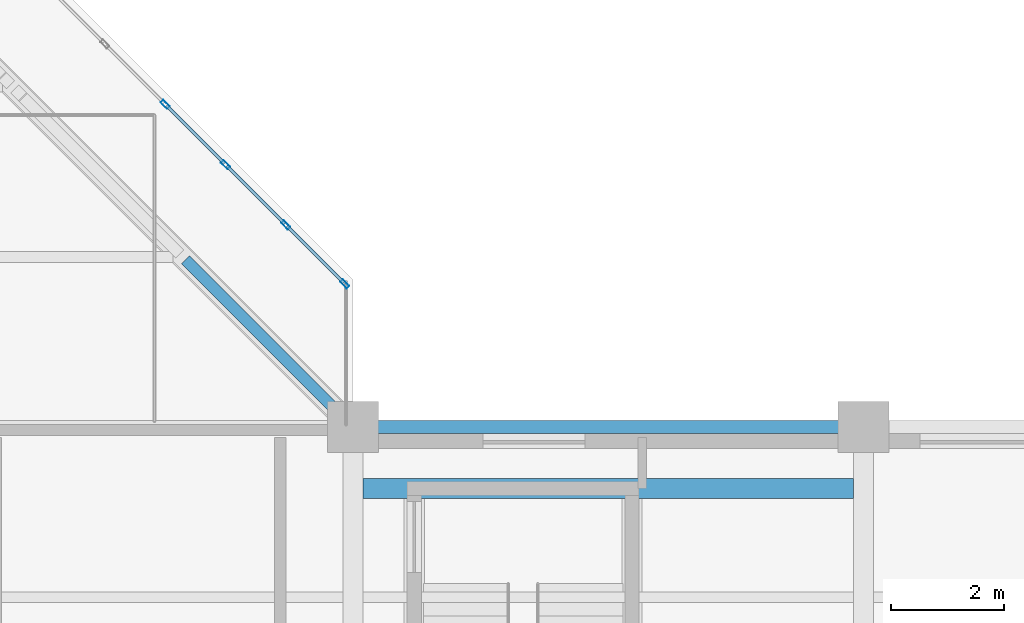
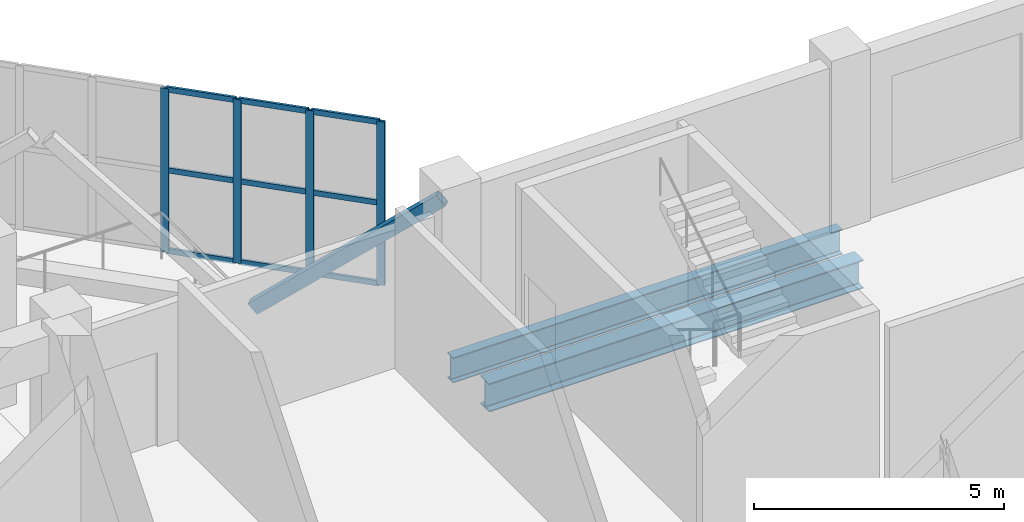
# One storey, part 2 of 9: 14 members, 2 beams, 1 element without a shape of its own.
"""IFC4 building model written with IfcOpenShell, lengths in metres."""

import ifcopenshell
import ifcopenshell.guid

model = None  # the IFC model being written
_history = None  # IfcOwnerHistory: only IFC2X3 demands one
_inside = {}  # id of a spatial element -> (the spatial element, [elements in it])
_under = {}  # id of a project, library or spatial element -> (it, [spatial elements below it])
_declared = {}  # id of a project -> (the project, [libraries it declares])
_typed = {}  # id of a type object -> (the type object, [elements of that type])
_made_of = {}  # id of a material, layer set ... -> (it, [elements and type objects made of it])


def new_model(schema):
    """Start an empty IFC model of exactly this schema.

    Asked for "IFC4X3", IfcOpenShell would pick the latest addendum, in which some entities
    have other attributes; the version numbers below select the first issue.
    IFC2X3 requires an IfcOwnerHistory on every rooted entity: one is made here for all.
    """
    global model, _history
    if schema == "IFC4X3":
        model = ifcopenshell.file(schema_version=(4, 3, 0, 0))
    else:
        model = ifcopenshell.file(schema=schema)
    _inside.clear()
    _under.clear()
    _declared.clear()
    _typed.clear()
    _made_of.clear()
    _history = None
    if model.schema == "IFC2X3":
        org = make("IfcOrganization", Name="unknown")
        user = make(
            "IfcPersonAndOrganization",
            ThePerson=make("IfcPerson", FamilyName="unknown"),
            TheOrganization=org,
        )
        app = make(
            "IfcApplication",
            ApplicationDeveloper=org,
            Version="unknown",
            ApplicationFullName="unknown",
            ApplicationIdentifier="unknown",
        )
        _history = make(
            "IfcOwnerHistory",
            OwningUser=user,
            OwningApplication=app,
            ChangeAction="ADDED",
            CreationDate=0,
        )
    return model


def make(cls, **values):
    """One entity of the class cls with the attributes given. An attribute that is None is left unset."""
    return model.create_entity(
        cls, **{name: value for name, value in values.items() if value is not None}
    )


def rooted(cls, **values):
    """An entity with a GlobalId (a new one), such as an element, a storey or a relation."""
    return make(cls, GlobalId=ifcopenshell.guid.new(), OwnerHistory=_history, **values)


def si_unit(unit_type, name, prefix=None):
    """IfcSIUnit, for example si_unit("LENGTHUNIT", "METRE", prefix="MILLI")."""
    return make("IfcSIUnit", UnitType=unit_type, Prefix=prefix, Name=name)


def assignment(units):
    """IfcUnitAssignment: the units of a project."""
    return None if units is None else make("IfcUnitAssignment", Units=units)


def point(xyz):
    """IfcCartesianPoint."""
    return None if xyz is None else make("IfcCartesianPoint", Coordinates=xyz)


def direction(xyz):
    """IfcDirection."""
    return None if xyz is None else make("IfcDirection", DirectionRatios=xyz)


def frame(location, z_axis=None, x_axis=None):
    """IfcAxis2Placement3D, a coordinate frame: its origin and axes. An axis left out is left unset."""
    return make(
        "IfcAxis2Placement3D",
        Location=point(location),
        Axis=direction(z_axis),
        RefDirection=direction(x_axis),
    )


def frame_2d(location, x_axis=None):
    """IfcAxis2Placement2D, a coordinate frame in the plane: its origin and x axis."""
    return make(
        "IfcAxis2Placement2D", Location=point(location), RefDirection=direction(x_axis)
    )


def origin():
    """The frame at (0, 0, 0) with its axes left unset."""
    return frame((0.0, 0.0, 0.0))


def origin_2d():
    """The frame at (0, 0) in the plane with its x axis left unset."""
    return frame_2d((0.0, 0.0))


def place(relative_to, where):
    """IfcLocalPlacement: puts the frame where relative to a parent placement (None: the world)."""
    return make(
        "IfcLocalPlacement", PlacementRelTo=relative_to, RelativePlacement=where
    )


def context(
    kind, dimensions, precision=None, world=None, true_north=None, identifier=None
):
    """IfcGeometricRepresentationContext, for example the 3D "Model" context."""
    return make(
        "IfcGeometricRepresentationContext",
        ContextIdentifier=identifier,
        ContextType=kind,
        CoordinateSpaceDimension=dimensions,
        Precision=precision,
        WorldCoordinateSystem=world,
        TrueNorth=true_north,
    )


def subcontext(parent, identifier, kind, view, scale=None):
    """IfcGeometricRepresentationSubContext, for example "Body" below "Model"."""
    return make(
        "IfcGeometricRepresentationSubContext",
        ContextIdentifier=identifier,
        ContextType=kind,
        ParentContext=parent,
        TargetScale=scale,
        TargetView=view,
    )


def project(units=None, contexts=None):
    """IfcProject with its units and contexts."""
    return rooted(
        "IfcProject",
        Name="project",
        RepresentationContexts=contexts,
        UnitsInContext=assignment(units),
    )


def spatial(cls, under=None, at=None, **own):
    """A site, building, storey or space (cls), placed at a placement, below another one or the project."""
    s = rooted(cls, ObjectPlacement=at, **own)
    if under is not None:
        _under.setdefault(under.id(), (under, []))[1].append(s)
    return s


def profile(cls, at=None, kind="AREA", **sizes):
    """A parametric profile (cls). Its sizes go by their IFC names, for example OverallWidth=200.0."""
    return make(cls, ProfileType=kind, Position=at, **sizes)


def hollow_rectangle(**sizes):
    """IfcRectangleHollowProfileDef."""
    return profile("IfcRectangleHollowProfileDef", **sizes)


def i_section(**sizes):
    """IfcIShapeProfileDef."""
    return profile("IfcIShapeProfileDef", **sizes)


def extrude(swept, where, along, depth):
    """IfcExtrudedAreaSolid: the profile swept, set in the frame where, extruded along a direction by depth."""
    return make(
        "IfcExtrudedAreaSolid",
        SweptArea=swept,
        Position=where,
        ExtrudedDirection=direction(along),
        Depth=depth,
    )


def shape(context_of_items, identifier, shape_type, items):
    """IfcShapeRepresentation: the items that make up one representation, for example the "Body"."""
    return make(
        "IfcShapeRepresentation",
        ContextOfItems=context_of_items,
        RepresentationIdentifier=identifier,
        RepresentationType=shape_type,
        Items=items,
    )


def material(Name=None, Category=None):
    """IfcMaterial."""
    return make("IfcMaterial", Name=Name, Category=Category)


def layer(
    of_material, thickness, ventilated=None, Name=None, Category=None, Priority=None
):
    """IfcMaterialLayer: one layer of a wall or slab, of a material (None: an air gap)."""
    return make(
        "IfcMaterialLayer",
        Material=of_material,
        LayerThickness=thickness,
        IsVentilated=ventilated,
        Name=Name,
        Category=Category,
        Priority=Priority,
    )


def layer_set(layers, Name=None):
    """IfcMaterialLayerSet."""
    return make("IfcMaterialLayerSet", MaterialLayers=layers, LayerSetName=Name)


def material_profile(
    of_material, cross_section, Name=None, Category=None, Priority=None
):
    """IfcMaterialProfile: a cross section and its material."""
    return make(
        "IfcMaterialProfile",
        Name=Name,
        Material=of_material,
        Profile=cross_section,
        Priority=Priority,
        Category=Category,
    )


def profile_set(profiles, Name=None, composite=None):
    """IfcMaterialProfileSet."""
    return make(
        "IfcMaterialProfileSet",
        Name=Name,
        MaterialProfiles=profiles,
        CompositeProfile=composite,
    )


def made_of(thing, what):
    """Note that an element or type object is made of a material, layer set ...; save() writes the relation."""
    if what is not None:
        _made_of.setdefault(what.id(), (what, []))[1].append(thing)
    return thing


def type_object(cls, material=None, **own):
    """A type object (cls), such as IfcWallType, which elements share."""
    return made_of(rooted(cls, **own), material)


def element(
    cls,
    number,
    at=None,
    inside=None,
    cuts=None,
    type_object=None,
    material=None,
    context=None,
    identifier="Body",
    shape_type=None,
    held_by="IfcProductDefinitionShape",
    body=None,
    shapes=None,
    **own,
):
    """One element of the class cls, such as IfcWall. Its Tag is "e" and its number.

    at: its placement. inside: the storey or other place that contains it. cuts: it is an
    opening in that element (IfcRelVoidsElement). A single representation is given by context,
    identifier, shape_type and body (its items); several are given by shapes. held_by: the class
    of the entity that holds the representations. save() writes the other relations.
    """
    e = rooted(cls, Tag="e%d" % number, ObjectPlacement=at, **own)
    if body is not None:
        shapes = [shape(context, identifier, shape_type, body)]
    if shapes is not None:
        e.Representation = make(held_by, Representations=shapes)
    if inside is not None:
        _inside.setdefault(inside.id(), (inside, []))[1].append(e)
    if cuts is not None:
        rooted(
            "IfcRelVoidsElement", RelatingBuildingElement=cuts, RelatedOpeningElement=e
        )
    if type_object is not None:
        _typed.setdefault(type_object.id(), (type_object, []))[1].append(e)
    return made_of(e, material)


def aggregate(whole, parts):
    """IfcRelAggregates: a whole, such as a stair, and the parts it consists of."""
    return rooted("IfcRelAggregates", RelatingObject=whole, RelatedObjects=parts)


def save(model, path):
    """Write the relations noted so far, then the file.

    IfcRelAggregates (storeys below a building ...), IfcRelContainedInSpatialStructure (elements
    in a storey), IfcRelDefinesByType, IfcRelAssociatesMaterial and IfcRelDeclares: one each for
    every whole, place, type object, material and project.
    """
    for whole, parts in _under.values():
        aggregate(whole, parts)
    for where, things in _inside.values():
        rooted(
            "IfcRelContainedInSpatialStructure",
            RelatedElements=things,
            RelatingStructure=where,
        )
    for kind, things in _typed.values():
        rooted("IfcRelDefinesByType", RelatedObjects=things, RelatingType=kind)
    for what, things in _made_of.values():
        rooted("IfcRelAssociatesMaterial", RelatedObjects=things, RelatingMaterial=what)
    for by, libraries in _declared.values():
        rooted("IfcRelDeclares", RelatingContext=by, RelatedDefinitions=libraries)
    model.write(path)


model = new_model("IFC4")

# Units and contexts
model_context = context("Model", 3, precision=1e-05, world=origin(), true_north=direction((0.0, 1.0)))
body_context = subcontext(model_context, "Body", "Model", "MODEL_VIEW")
ifc_project = project(units=[si_unit("LENGTHUNIT", "METRE"), si_unit("AREAUNIT", "SQUARE_METRE"), si_unit("VOLUMEUNIT", "CUBIC_METRE"), si_unit("PLANEANGLEUNIT", "RADIAN"), si_unit("MASSUNIT", "GRAM", prefix="KILO")], contexts=[model_context])

# Site, building, storey
site_placement = place(None, origin())
site = spatial("IfcSite", under=ifc_project, at=site_placement, CompositionType="ELEMENT")
building_placement = place(site_placement, origin())
building = spatial("IfcBuilding", under=site, at=building_placement, Name="Mawjdan Bourse Tower", CompositionType="ELEMENT")
storey_placement = place(building_placement, frame((0.0, 0.0, 160.199951171875)))
storey = spatial("IfcBuildingStorey", under=building, at=storey_placement, Name="L38", CompositionType="ELEMENT", Elevation=160.199951171875)

# Member
ifc_material_1 = material(Name="Structural Steel S460", Category="steel")
ifc_material_profile_1 = material_profile(ifc_material_1, hollow_rectangle(XDim=0.199951171875, YDim=0.300048828125, WallThickness=0.012451171875, at=origin_2d()), Name="HSS300X200X12.5")
ifc_profile_set_1 = profile_set([ifc_material_profile_1], Name="Structural Steel S460")
member_type_1 = type_object("IfcMemberType", Name="BRC-HSS300X200X12.5", PredefinedType="BRACE", material=ifc_profile_set_1)
member_1_placement = place(storey_placement, frame((30.1201171875, 23.8798828125, 0.199951171875), z_axis=(0.536552253275, -0.536552253275, 0.651324311699), x_axis=(0.707106781187, 0.707106781187, 0.0)))
element("IfcMember", 1, at=member_1_placement, inside=storey, type_object=member_type_1, Name="L38 Atrium Sky Bridge Truss Diagonal 3", PredefinedType="BRACE", context=body_context, shape_type="SweptSolid", body=[
    extrude(hollow_rectangle(XDim=0.199951171875, YDim=0.300048828125, WallThickness=0.012451171875, at=origin_2d()), origin(), (0.0, 0.0, 1.0), 5.1435546875),
])

# Beam
ifc_material_2 = material(Name="Structural Steel S355", Category="steel")
ifc_material_profile_2 = material_profile(ifc_material_2, i_section(OverallWidth=0.35498046875, OverallDepth=0.696044921875, WebThickness=0.015380859375, FlangeThickness=0.02490234375, FilletRadius=0.019775390625, at=origin_2d()), Name="W27X146")
ifc_profile_set_2 = profile_set([ifc_material_profile_2], Name="Structural Steel S355")
beam_type_1 = type_object("IfcBeamType", Name="GRD-W27X146", PredefinedType="BEAM", material=ifc_profile_set_2)
beam_1_placement = place(storey_placement, frame((33.175537109375, 19.919921875, -0.597900390625), z_axis=(1.0, 0.0, 0.0), x_axis=(0.0, 1.0, 0.0)))
element("IfcBeam", 2, at=beam_1_placement, inside=storey, type_object=beam_type_1, Name="L38 Feature Stair North Trimmer 043", PredefinedType="BEAM", context=body_context, shape_type="SweptSolid", body=[
    extrude(i_section(OverallWidth=0.35498046875, OverallDepth=0.696044921875, WebThickness=0.015380859375, FlangeThickness=0.02490234375, FilletRadius=0.019775390625, at=origin_2d()), origin(), (0.0, 0.0, 1.0), 8.64892578125),
])

# Curtain wall, members
ifc_material_3 = material(Name="Thermally Broken Aluminium and Solar Glass", Category="aluminium")
ifc_layer = layer(ifc_material_3, 0.219970703125)
ifc_layer_set = layer_set([ifc_layer], Name="Thermally Broken Aluminium and Solar Glass")
curtain_wall_type = type_object("IfcCurtainWallType", Name="CW-BRG", PredefinedType="USERDEFINED", material=ifc_layer_set)
curtain_wall_placement = place(storey_placement, origin())
curtain_wall = element("IfcCurtainWall", 3, at=curtain_wall_placement, inside=storey, type_object=curtain_wall_type, Name="L38 Atrium Sky Bridge Diagonal Curtain Wall", ObjectType="SKY BRIDGE CURTAIN WALL", PredefinedType="USERDEFINED")
ifc_material_4 = material(Name="Thermally Broken Anodised Aluminium", Category="aluminium")
ifc_material_profile_3 = material_profile(ifc_material_4, hollow_rectangle(XDim=0.06494140625, YDim=0.1650390625, WallThickness=0.00390625, at=origin_2d()), Name="ALU-MUL-165X65")
ifc_profile_set_3 = profile_set([ifc_material_profile_3], Name="Thermally Broken Anodised Aluminium")
member_type_2 = type_object("IfcMemberType", Name="MUL-ALU-MUL-165X65", PredefinedType="MULLION", material=ifc_profile_set_3)
member_2_placement = place(storey_placement, frame((32.85693359375, 23.52294921875, 0.0), z_axis=(0.0, 0.0, 1.0), x_axis=(-0.707106781187, -0.707106781187, 0.0)))
member_2 = element("IfcMember", 4, at=member_2_placement, type_object=member_type_2, Name="CW-BRG-L38-BRG-DIAG mullion 1", PredefinedType="MULLION", context=body_context, shape_type="SweptSolid", body=[
    extrude(hollow_rectangle(XDim=0.06494140625, YDim=0.1650390625, WallThickness=0.00390625, at=origin_2d()), origin(), (0.0, 0.0, 1.0), 4.0),
])
member_3_placement = place(storey_placement, frame((31.816650390625, 24.563232421875, 0.0), z_axis=(0.0, 0.0, 1.0), x_axis=(-0.707106781187, -0.707106781187, 0.0)))
member_3 = element("IfcMember", 5, at=member_3_placement, type_object=member_type_2, Name="CW-BRG-L38-BRG-DIAG mullion 2", PredefinedType="MULLION", context=body_context, shape_type="SweptSolid", body=[
    extrude(hollow_rectangle(XDim=0.06494140625, YDim=0.1650390625, WallThickness=0.00390625, at=origin_2d()), origin(), (0.0, 0.0, 1.0), 4.0),
])
member_4_placement = place(storey_placement, frame((30.75341796875, 25.626708984375, 0.0), z_axis=(0.0, 0.0, 1.0), x_axis=(-0.707106781187, -0.707106781187, 0.0)))
member_4 = element("IfcMember", 6, at=member_4_placement, type_object=member_type_2, Name="CW-BRG-L38-BRG-DIAG mullion 3", PredefinedType="MULLION", context=body_context, shape_type="SweptSolid", body=[
    extrude(hollow_rectangle(XDim=0.06494140625, YDim=0.1650390625, WallThickness=0.00390625, at=origin_2d()), origin(), (0.0, 0.0, 1.0), 4.0),
])
member_5_placement = place(storey_placement, frame((29.68994140625, 26.68994140625, 0.0), z_axis=(0.0, 0.0, 1.0), x_axis=(-0.707106781187, -0.707106781187, 0.0)))
member_5 = element("IfcMember", 7, at=member_5_placement, type_object=member_type_2, Name="CW-BRG-L38-BRG-DIAG mullion 4", PredefinedType="MULLION", context=body_context, shape_type="SweptSolid", body=[
    extrude(hollow_rectangle(XDim=0.06494140625, YDim=0.1650390625, WallThickness=0.00390625, at=origin_2d()), origin(), (0.0, 0.0, 1.0), 4.0),
])

# Beam
ifc_material_profile_4 = material_profile(ifc_material_2, i_section(OverallWidth=0.22998046875, OverallDepth=0.616943359375, WebThickness=0.01318359375, FlangeThickness=0.022216796875, FilletRadius=0.017822265625, at=origin_2d()), Name="W24X94")
ifc_profile_set_4 = profile_set([ifc_material_profile_4], Name="Structural Steel S355")
beam_type_2 = type_object("IfcBeamType", Name="SPN-W24X94", PredefinedType="SPANDREL", material=ifc_profile_set_4)
beam_2_placement = place(storey_placement, frame((33.0, 21.0, -0.558349609375), z_axis=(1.0, 0.0, 0.0), x_axis=(0.0, 1.0, 0.0)))
element("IfcBeam", 8, at=beam_2_placement, inside=storey, type_object=beam_type_2, Name="L38 Sky Bridge Interface Spandrel 013", PredefinedType="SPANDREL", context=body_context, shape_type="SweptSolid", body=[
    extrude(i_section(OverallWidth=0.22998046875, OverallDepth=0.616943359375, WebThickness=0.01318359375, FlangeThickness=0.022216796875, FilletRadius=0.017822265625, at=origin_2d()), origin(), (0.0, 0.0, 1.0), 9.0),
])

# Member
ifc_material_profile_5 = material_profile(ifc_material_4, hollow_rectangle(XDim=0.054931640625, YDim=0.1298828125, WallThickness=0.00341796875, at=origin_2d()), Name="ALU-TRN-130X55")
ifc_profile_set_5 = profile_set([ifc_material_profile_5], Name="Thermally Broken Anodised Aluminium")
member_type_3 = type_object("IfcMemberType", Name="TRN-ALU-TRN-130X55", PredefinedType="USERDEFINED", material=ifc_profile_set_5)
member_6_placement = place(storey_placement, frame((32.833984375, 23.5458984375, 0.027587890625), z_axis=(-0.707106781187, 0.707106781187, 0.0), x_axis=(-0.707106781187, -0.707106781187, 0.0)))
member_6 = element("IfcMember", 9, at=member_6_placement, type_object=member_type_3, Name="CW-BRG-L38-BRG-DIAG transom 1.1", ObjectType="TRANSOM", PredefinedType="USERDEFINED", context=body_context, shape_type="SweptSolid", body=[
    extrude(hollow_rectangle(XDim=0.054931640625, YDim=0.1298828125, WallThickness=0.00341796875, at=origin_2d()), origin(), (0.0, 0.0, 1.0), 1.40625),
])

member_7_placement = place(storey_placement, frame((32.833984375, 23.5458984375, 2.0), z_axis=(-0.707106781187, 0.707106781187, 0.0), x_axis=(-0.707106781187, -0.707106781187, 0.0)))
member_7 = element("IfcMember", 10, at=member_7_placement, type_object=member_type_3, Name="CW-BRG-L38-BRG-DIAG transom 1.2", ObjectType="TRANSOM", PredefinedType="USERDEFINED", context=body_context, shape_type="SweptSolid", body=[
    extrude(hollow_rectangle(XDim=0.054931640625, YDim=0.1298828125, WallThickness=0.00341796875, at=origin_2d()), origin(), (0.0, 0.0, 1.0), 1.40625),
])

member_8_placement = place(storey_placement, frame((32.833984375, 23.5458984375, 3.97265625), z_axis=(-0.707106781187, 0.707106781187, 0.0), x_axis=(-0.707106781187, -0.707106781187, 0.0)))
member_8 = element("IfcMember", 11, at=member_8_placement, type_object=member_type_3, Name="CW-BRG-L38-BRG-DIAG transom 1.3", ObjectType="TRANSOM", PredefinedType="USERDEFINED", context=body_context, shape_type="SweptSolid", body=[
    extrude(hollow_rectangle(XDim=0.054931640625, YDim=0.1298828125, WallThickness=0.00341796875, at=origin_2d()), origin(), (0.0, 0.0, 1.0), 1.40625),
])

member_9_placement = place(storey_placement, frame((31.793701171875, 24.58642578125, 0.027587890625), z_axis=(-0.707106781187, 0.707106781187, 0.0), x_axis=(-0.707106781187, -0.707106781187, 0.0)))
member_9 = element("IfcMember", 12, at=member_9_placement, type_object=member_type_3, Name="CW-BRG-L38-BRG-DIAG transom 2.1", ObjectType="TRANSOM", PredefinedType="USERDEFINED", context=body_context, shape_type="SweptSolid", body=[
    extrude(hollow_rectangle(XDim=0.054931640625, YDim=0.1298828125, WallThickness=0.00341796875, at=origin_2d()), origin(), (0.0, 0.0, 1.0), 1.438720703125),
])

member_10_placement = place(storey_placement, frame((31.793701171875, 24.58642578125, 2.0), z_axis=(-0.707106781187, 0.707106781187, 0.0), x_axis=(-0.707106781187, -0.707106781187, 0.0)))
member_10 = element("IfcMember", 13, at=member_10_placement, type_object=member_type_3, Name="CW-BRG-L38-BRG-DIAG transom 2.2", ObjectType="TRANSOM", PredefinedType="USERDEFINED", context=body_context, shape_type="SweptSolid", body=[
    extrude(hollow_rectangle(XDim=0.054931640625, YDim=0.1298828125, WallThickness=0.00341796875, at=origin_2d()), origin(), (0.0, 0.0, 1.0), 1.438720703125),
])

member_11_placement = place(storey_placement, frame((31.793701171875, 24.58642578125, 3.97265625), z_axis=(-0.707106781187, 0.707106781187, 0.0), x_axis=(-0.707106781187, -0.707106781187, 0.0)))
member_11 = element("IfcMember", 14, at=member_11_placement, type_object=member_type_3, Name="CW-BRG-L38-BRG-DIAG transom 2.3", ObjectType="TRANSOM", PredefinedType="USERDEFINED", context=body_context, shape_type="SweptSolid", body=[
    extrude(hollow_rectangle(XDim=0.054931640625, YDim=0.1298828125, WallThickness=0.00341796875, at=origin_2d()), origin(), (0.0, 0.0, 1.0), 1.438720703125),
])

member_12_placement = place(storey_placement, frame((30.73046875, 25.649658203125, 0.027587890625), z_axis=(-0.707191611943, 0.707021940251, 0.0), x_axis=(-0.707021940251, -0.707191611943, 0.0)))
member_12 = element("IfcMember", 15, at=member_12_placement, type_object=member_type_3, Name="CW-BRG-L38-BRG-DIAG transom 3.1", ObjectType="TRANSOM", PredefinedType="USERDEFINED", context=body_context, shape_type="SweptSolid", body=[
    extrude(hollow_rectangle(XDim=0.054931640625, YDim=0.1298828125, WallThickness=0.00341796875, at=origin_2d()), origin(), (0.0, 0.0, 1.0), 1.43896484375),
])

member_13_placement = place(storey_placement, frame((30.73046875, 25.649658203125, 2.0), z_axis=(-0.707191611943, 0.707021940251, 0.0), x_axis=(-0.707021940251, -0.707191611943, 0.0)))
member_13 = element("IfcMember", 16, at=member_13_placement, type_object=member_type_3, Name="CW-BRG-L38-BRG-DIAG transom 3.2", ObjectType="TRANSOM", PredefinedType="USERDEFINED", context=body_context, shape_type="SweptSolid", body=[
    extrude(hollow_rectangle(XDim=0.054931640625, YDim=0.1298828125, WallThickness=0.00341796875, at=origin_2d()), origin(), (0.0, 0.0, 1.0), 1.43896484375),
])

member_14_placement = place(storey_placement, frame((30.73046875, 25.649658203125, 3.97265625), z_axis=(-0.707191611943, 0.707021940251, 0.0), x_axis=(-0.707021940251, -0.707191611943, 0.0)))
member_14 = element("IfcMember", 17, at=member_14_placement, type_object=member_type_3, Name="CW-BRG-L38-BRG-DIAG transom 3.3", ObjectType="TRANSOM", PredefinedType="USERDEFINED", context=body_context, shape_type="SweptSolid", body=[
    extrude(hollow_rectangle(XDim=0.054931640625, YDim=0.1298828125, WallThickness=0.00341796875, at=origin_2d()), origin(), (0.0, 0.0, 1.0), 1.43896484375),
])

aggregate(curtain_wall, [member_2, member_3, member_4, member_5, member_6, member_7, member_8, member_9, member_10, member_11, member_12, member_13, member_14])

save(model, "model.ifc")
